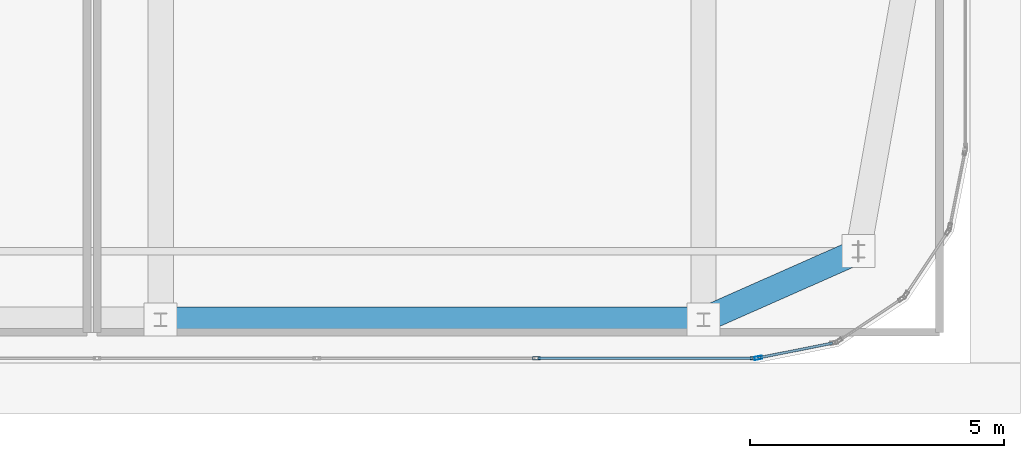
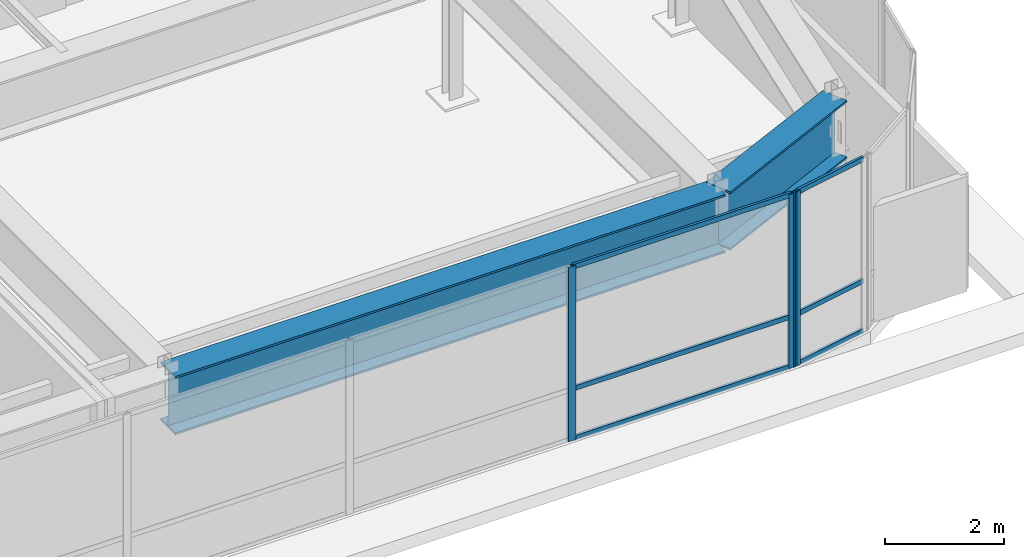
# One storey, part 13 of 35: 9 members, 2 beams, 2 elements without a shape of their own.
"""IFC4 building model written with IfcOpenShell, lengths in metres."""

import ifcopenshell
import ifcopenshell.guid

model = None  # the IFC model being written
_history = None  # IfcOwnerHistory: only IFC2X3 demands one
_inside = {}  # id of a spatial element -> (the spatial element, [elements in it])
_under = {}  # id of a project, library or spatial element -> (it, [spatial elements below it])
_declared = {}  # id of a project -> (the project, [libraries it declares])
_typed = {}  # id of a type object -> (the type object, [elements of that type])
_made_of = {}  # id of a material, layer set ... -> (it, [elements and type objects made of it])


def new_model(schema):
    """Start an empty IFC model of exactly this schema.

    Asked for "IFC4X3", IfcOpenShell would pick the latest addendum, in which some entities
    have other attributes; the version numbers below select the first issue.
    IFC2X3 requires an IfcOwnerHistory on every rooted entity: one is made here for all.
    """
    global model, _history
    if schema == "IFC4X3":
        model = ifcopenshell.file(schema_version=(4, 3, 0, 0))
    else:
        model = ifcopenshell.file(schema=schema)
    _inside.clear()
    _under.clear()
    _declared.clear()
    _typed.clear()
    _made_of.clear()
    _history = None
    if model.schema == "IFC2X3":
        org = make("IfcOrganization", Name="unknown")
        user = make(
            "IfcPersonAndOrganization",
            ThePerson=make("IfcPerson", FamilyName="unknown"),
            TheOrganization=org,
        )
        app = make(
            "IfcApplication",
            ApplicationDeveloper=org,
            Version="unknown",
            ApplicationFullName="unknown",
            ApplicationIdentifier="unknown",
        )
        _history = make(
            "IfcOwnerHistory",
            OwningUser=user,
            OwningApplication=app,
            ChangeAction="ADDED",
            CreationDate=0,
        )
    return model


def make(cls, **values):
    """One entity of the class cls with the attributes given. An attribute that is None is left unset."""
    return model.create_entity(
        cls, **{name: value for name, value in values.items() if value is not None}
    )


def rooted(cls, **values):
    """An entity with a GlobalId (a new one), such as an element, a storey or a relation."""
    return make(cls, GlobalId=ifcopenshell.guid.new(), OwnerHistory=_history, **values)


def si_unit(unit_type, name, prefix=None):
    """IfcSIUnit, for example si_unit("LENGTHUNIT", "METRE", prefix="MILLI")."""
    return make("IfcSIUnit", UnitType=unit_type, Prefix=prefix, Name=name)


def assignment(units):
    """IfcUnitAssignment: the units of a project."""
    return None if units is None else make("IfcUnitAssignment", Units=units)


def point(xyz):
    """IfcCartesianPoint."""
    return None if xyz is None else make("IfcCartesianPoint", Coordinates=xyz)


def direction(xyz):
    """IfcDirection."""
    return None if xyz is None else make("IfcDirection", DirectionRatios=xyz)


def frame(location, z_axis=None, x_axis=None):
    """IfcAxis2Placement3D, a coordinate frame: its origin and axes. An axis left out is left unset."""
    return make(
        "IfcAxis2Placement3D",
        Location=point(location),
        Axis=direction(z_axis),
        RefDirection=direction(x_axis),
    )


def frame_2d(location, x_axis=None):
    """IfcAxis2Placement2D, a coordinate frame in the plane: its origin and x axis."""
    return make(
        "IfcAxis2Placement2D", Location=point(location), RefDirection=direction(x_axis)
    )


def origin():
    """The frame at (0, 0, 0) with its axes left unset."""
    return frame((0.0, 0.0, 0.0))


def origin_2d():
    """The frame at (0, 0) in the plane with its x axis left unset."""
    return frame_2d((0.0, 0.0))


def place(relative_to, where):
    """IfcLocalPlacement: puts the frame where relative to a parent placement (None: the world)."""
    return make(
        "IfcLocalPlacement", PlacementRelTo=relative_to, RelativePlacement=where
    )


def context(
    kind, dimensions, precision=None, world=None, true_north=None, identifier=None
):
    """IfcGeometricRepresentationContext, for example the 3D "Model" context."""
    return make(
        "IfcGeometricRepresentationContext",
        ContextIdentifier=identifier,
        ContextType=kind,
        CoordinateSpaceDimension=dimensions,
        Precision=precision,
        WorldCoordinateSystem=world,
        TrueNorth=true_north,
    )


def subcontext(parent, identifier, kind, view, scale=None):
    """IfcGeometricRepresentationSubContext, for example "Body" below "Model"."""
    return make(
        "IfcGeometricRepresentationSubContext",
        ContextIdentifier=identifier,
        ContextType=kind,
        ParentContext=parent,
        TargetScale=scale,
        TargetView=view,
    )


def project(units=None, contexts=None):
    """IfcProject with its units and contexts."""
    return rooted(
        "IfcProject",
        Name="project",
        RepresentationContexts=contexts,
        UnitsInContext=assignment(units),
    )


def spatial(cls, under=None, at=None, **own):
    """A site, building, storey or space (cls), placed at a placement, below another one or the project."""
    s = rooted(cls, ObjectPlacement=at, **own)
    if under is not None:
        _under.setdefault(under.id(), (under, []))[1].append(s)
    return s


def profile(cls, at=None, kind="AREA", **sizes):
    """A parametric profile (cls). Its sizes go by their IFC names, for example OverallWidth=200.0."""
    return make(cls, ProfileType=kind, Position=at, **sizes)


def hollow_rectangle(**sizes):
    """IfcRectangleHollowProfileDef."""
    return profile("IfcRectangleHollowProfileDef", **sizes)


def i_section(**sizes):
    """IfcIShapeProfileDef."""
    return profile("IfcIShapeProfileDef", **sizes)


def extrude(swept, where, along, depth):
    """IfcExtrudedAreaSolid: the profile swept, set in the frame where, extruded along a direction by depth."""
    return make(
        "IfcExtrudedAreaSolid",
        SweptArea=swept,
        Position=where,
        ExtrudedDirection=direction(along),
        Depth=depth,
    )


def shape(context_of_items, identifier, shape_type, items):
    """IfcShapeRepresentation: the items that make up one representation, for example the "Body"."""
    return make(
        "IfcShapeRepresentation",
        ContextOfItems=context_of_items,
        RepresentationIdentifier=identifier,
        RepresentationType=shape_type,
        Items=items,
    )


def source(mapping_origin, context_of_items, identifier, shape_type, items):
    """IfcRepresentationMap: a shape defined once, which mapped items show again and again."""
    return make(
        "IfcRepresentationMap",
        MappingOrigin=mapping_origin,
        MappedRepresentation=shape(context_of_items, identifier, shape_type, items),
    )


def transform(
    local_origin,
    x_axis=None,
    y_axis=None,
    z_axis=None,
    scale=None,
    scale2=None,
    scale3=None,
    uniform=True,
):
    """IfcCartesianTransformationOperator3D, or its non-uniform kind. x_axis, y_axis, z_axis: its Axis1, 2, 3."""
    if uniform:
        return make(
            "IfcCartesianTransformationOperator3D",
            Axis1=direction(x_axis),
            Axis2=direction(y_axis),
            LocalOrigin=point(local_origin),
            Scale=scale,
            Axis3=direction(z_axis),
        )
    return make(
        "IfcCartesianTransformationOperator3DnonUniform",
        Axis1=direction(x_axis),
        Axis2=direction(y_axis),
        LocalOrigin=point(local_origin),
        Scale=scale,
        Axis3=direction(z_axis),
        Scale2=scale2,
        Scale3=scale3,
    )


def mapped(mapping_source, mapping_target):
    """IfcMappedItem: shows the shape of a source again, moved by a transform."""
    return make(
        "IfcMappedItem", MappingSource=mapping_source, MappingTarget=mapping_target
    )


def material(Name=None, Category=None):
    """IfcMaterial."""
    return make("IfcMaterial", Name=Name, Category=Category)


def layer(
    of_material, thickness, ventilated=None, Name=None, Category=None, Priority=None
):
    """IfcMaterialLayer: one layer of a wall or slab, of a material (None: an air gap)."""
    return make(
        "IfcMaterialLayer",
        Material=of_material,
        LayerThickness=thickness,
        IsVentilated=ventilated,
        Name=Name,
        Category=Category,
        Priority=Priority,
    )


def layer_set(layers, Name=None):
    """IfcMaterialLayerSet."""
    return make("IfcMaterialLayerSet", MaterialLayers=layers, LayerSetName=Name)


def material_profile(
    of_material, cross_section, Name=None, Category=None, Priority=None
):
    """IfcMaterialProfile: a cross section and its material."""
    return make(
        "IfcMaterialProfile",
        Name=Name,
        Material=of_material,
        Profile=cross_section,
        Priority=Priority,
        Category=Category,
    )


def profile_set(profiles, Name=None, composite=None):
    """IfcMaterialProfileSet."""
    return make(
        "IfcMaterialProfileSet",
        Name=Name,
        MaterialProfiles=profiles,
        CompositeProfile=composite,
    )


def made_of(thing, what):
    """Note that an element or type object is made of a material, layer set ...; save() writes the relation."""
    if what is not None:
        _made_of.setdefault(what.id(), (what, []))[1].append(thing)
    return thing


def type_object(cls, material=None, **own):
    """A type object (cls), such as IfcWallType, which elements share."""
    return made_of(rooted(cls, **own), material)


def type_shapes(of_type, sources):
    """Give a type object the sources (RepresentationMaps) that its elements show as mapped items."""
    of_type.RepresentationMaps = sources


def element(
    cls,
    number,
    at=None,
    inside=None,
    cuts=None,
    type_object=None,
    material=None,
    context=None,
    identifier="Body",
    shape_type=None,
    held_by="IfcProductDefinitionShape",
    body=None,
    shapes=None,
    **own,
):
    """One element of the class cls, such as IfcWall. Its Tag is "e" and its number.

    at: its placement. inside: the storey or other place that contains it. cuts: it is an
    opening in that element (IfcRelVoidsElement). A single representation is given by context,
    identifier, shape_type and body (its items); several are given by shapes. held_by: the class
    of the entity that holds the representations. save() writes the other relations.
    """
    e = rooted(cls, Tag="e%d" % number, ObjectPlacement=at, **own)
    if body is not None:
        shapes = [shape(context, identifier, shape_type, body)]
    if shapes is not None:
        e.Representation = make(held_by, Representations=shapes)
    if inside is not None:
        _inside.setdefault(inside.id(), (inside, []))[1].append(e)
    if cuts is not None:
        rooted(
            "IfcRelVoidsElement", RelatingBuildingElement=cuts, RelatedOpeningElement=e
        )
    if type_object is not None:
        _typed.setdefault(type_object.id(), (type_object, []))[1].append(e)
    return made_of(e, material)


def aggregate(whole, parts):
    """IfcRelAggregates: a whole, such as a stair, and the parts it consists of."""
    return rooted("IfcRelAggregates", RelatingObject=whole, RelatedObjects=parts)


def save(model, path):
    """Write the relations noted so far, then the file.

    IfcRelAggregates (storeys below a building ...), IfcRelContainedInSpatialStructure (elements
    in a storey), IfcRelDefinesByType, IfcRelAssociatesMaterial and IfcRelDeclares: one each for
    every whole, place, type object, material and project.
    """
    for whole, parts in _under.values():
        aggregate(whole, parts)
    for where, things in _inside.values():
        rooted(
            "IfcRelContainedInSpatialStructure",
            RelatedElements=things,
            RelatingStructure=where,
        )
    for kind, things in _typed.values():
        rooted("IfcRelDefinesByType", RelatedObjects=things, RelatingType=kind)
    for what, things in _made_of.values():
        rooted("IfcRelAssociatesMaterial", RelatedObjects=things, RelatingMaterial=what)
    for by, libraries in _declared.values():
        rooted("IfcRelDeclares", RelatingContext=by, RelatedDefinitions=libraries)
    model.write(path)


model = new_model("IFC4")

# Units and contexts
model_context = context("Model", 3, precision=1e-05, world=origin(), true_north=direction((0.0, 1.0)))
body_context = subcontext(model_context, "Body", "Model", "MODEL_VIEW")
ifc_project = project(units=[si_unit("LENGTHUNIT", "METRE"), si_unit("AREAUNIT", "SQUARE_METRE"), si_unit("VOLUMEUNIT", "CUBIC_METRE"), si_unit("PLANEANGLEUNIT", "RADIAN"), si_unit("MASSUNIT", "GRAM", prefix="KILO")], contexts=[model_context])

# Site, building, storey
site_placement = place(None, origin())
site = spatial("IfcSite", under=ifc_project, at=site_placement, CompositionType="ELEMENT")
building_placement = place(site_placement, origin())
building = spatial("IfcBuilding", under=site, at=building_placement, Name="Tolvann Quenvar Hotel", CompositionType="ELEMENT")
storey_placement = place(building_placement, frame((0.0, 0.0, 290.949951171875)))
storey = spatial("IfcBuildingStorey", under=building, at=storey_placement, Name="L77", CompositionType="ELEMENT", Elevation=290.949951171875)

# Beams
ifc_material_1 = material(Name="Steel Grade 350", Category="steel")
ifc_material_profile_1 = material_profile(ifc_material_1, i_section(OverallWidth=0.5, OverallDepth=1.199951171875, WebThickness=0.01611328125, FlangeThickness=0.0400390625, at=origin_2d()), Name="1200WB455")
ifc_profile_set_1 = profile_set([ifc_material_profile_1], Name="Steel Grade 350")
beam_type = type_object("IfcBeamType", Name="BM_TG_1200WB455", PredefinedType="USERDEFINED", material=ifc_profile_set_1)
shared_shape_1 = source(origin(), body_context, "Body", "SweptSolid", [
    extrude(i_section(OverallWidth=0.5, OverallDepth=1.199951171875, WebThickness=0.01611328125, FlangeThickness=0.0400390625, at=origin_2d()), origin(), (0.0, 0.0, 1.0), 10.699951171875),
])
beam_1_placement = place(storey_placement, frame((22.050048828125, 7.050048828125, 2.97998046875), z_axis=(1.0, 0.0, 0.0), x_axis=(0.0, 1.0, 0.0)))
element("IfcBeam", 1, at=beam_1_placement, inside=storey, type_object=beam_type, Name="BM-L77-EW-2-E2-FP2", ObjectType="TRANSFER GIRDER", PredefinedType="USERDEFINED", context=body_context, shape_type="MappedRepresentation", body=[
    mapped(shared_shape_1, transform((0.0, 0.0, 0.0), x_axis=(1.0, 0.0, 0.0), y_axis=(0.0, 1.0, 0.0), z_axis=(0.0, 0.0, 1.0), scale=1.0)),
])
shared_shape_2 = source(origin(), body_context, "Body", "SweptSolid", [
    extrude(i_section(OverallWidth=0.5, OverallDepth=1.199951171875, WebThickness=0.01611328125, FlangeThickness=0.0400390625, at=origin_2d()), origin(), (0.0, 0.0, 1.0), 3.33544921875),
])
type_shapes(beam_type, [shared_shape_1, shared_shape_2])
beam_2_placement = place(storey_placement, frame((32.75, 7.050048828125, 2.97998046875), z_axis=(0.914447312445, 0.404704970024, 0.0), x_axis=(-0.404704970024, 0.914447312445, 0.0)))
element("IfcBeam", 2, at=beam_2_placement, inside=storey, type_object=beam_type, Name="BM-L77-EW-2-FP2-G2", ObjectType="TRANSFER GIRDER", PredefinedType="USERDEFINED", context=body_context, shape_type="MappedRepresentation", body=[
    mapped(shared_shape_2, transform((0.0, 0.0, 0.0), x_axis=(1.0, 0.0, 0.0), y_axis=(0.0, 1.0, 0.0), z_axis=(0.0, 0.0, 1.0), scale=1.0)),
])

# Curtain wall, members
ifc_material_2 = material(Name="Thermally broken anodised architectural aluminium 6063-T6 and laminated low-E glass", Category="aluminium")
ifc_layer = layer(ifc_material_2, 0.179931640625)
ifc_layer_set = layer_set([ifc_layer], Name="Thermally broken anodised architectural aluminium 6063-T6 and laminated low-E glass")
curtain_wall_type = type_object("IfcCurtainWallType", Name="CW_SYS_LANT_06", PredefinedType="USERDEFINED", material=ifc_layer_set)
curtain_wall_1_placement = place(storey_placement, origin())
curtain_wall_1 = element("IfcCurtainWall", 3, at=curtain_wall_1_placement, inside=storey, type_object=curtain_wall_type, Name="Curtain Wall CW-LANT-06 (CWR-L77-E04)", ObjectType="UNITISED CURTAIN WALL", PredefinedType="USERDEFINED")
ifc_material_3 = material(Name="Anodised architectural aluminium 6063-T6 framing", Category="aluminium")
ifc_material_profile_2 = material_profile(ifc_material_3, hollow_rectangle(XDim=0.06494140625, YDim=0.14990234375, WallThickness=0.00390625, at=origin_2d()), Name="150x65x4RHS")
ifc_profile_set_2 = profile_set([ifc_material_profile_2], Name="Anodised architectural aluminium 6063-T6 framing")
member_type_1 = type_object("IfcMemberType", Name="CW_MULL_150x65", PredefinedType="MULLION", material=ifc_profile_set_2)
shared_shape_3 = source(origin(), body_context, "Body", "SweptSolid", [
    extrude(hollow_rectangle(XDim=0.06494140625, YDim=0.14990234375, WallThickness=0.00390625, at=origin_2d()), origin(), (0.0, 0.0, 1.0), 3.580078125),
])
type_shapes(member_type_1, [shared_shape_3])
member_1_placement = place(storey_placement, frame((29.455078125, 6.2900390625, 0.0), z_axis=(0.0, 0.0, 1.0), x_axis=(0.0, 1.0, 0.0)))
member_1 = element("IfcMember", 4, at=member_1_placement, type_object=member_type_1, Name="CW-LANT-06 mullion 6", PredefinedType="MULLION", context=body_context, shape_type="MappedRepresentation", body=[
    mapped(shared_shape_3, transform((0.0, 0.0, 0.0), x_axis=(1.0, 0.0, 0.0), y_axis=(0.0, 1.0, 0.0), z_axis=(0.0, 0.0, 1.0), scale=1.0)),
])
member_2_placement = place(storey_placement, frame((33.750244140625, 6.2900390625, 0.0), z_axis=(0.0, 0.0, 1.0), x_axis=(0.0, 1.0, 0.0)))
member_2 = element("IfcMember", 5, at=member_2_placement, type_object=member_type_1, Name="CW-LANT-06 mullion 7", PredefinedType="MULLION", context=body_context, shape_type="MappedRepresentation", body=[
    mapped(shared_shape_3, transform((0.0, 0.0, 0.0), x_axis=(1.0, 0.0, 0.0), y_axis=(0.0, 1.0, 0.0), z_axis=(0.0, 0.0, 1.0), scale=1.0)),
])

curtain_wall_2_placement = place(storey_placement, origin())
curtain_wall_2 = element("IfcCurtainWall", 6, at=curtain_wall_2_placement, inside=storey, type_object=curtain_wall_type, Name="Curtain Wall CW-LANT-06 (CWR-L77-E05)", ObjectType="UNITISED CURTAIN WALL", PredefinedType="USERDEFINED")
member_3_placement = place(storey_placement, frame((33.831298828125, 6.2978515625, 0.0), z_axis=(0.0, 0.0, 1.0), x_axis=(-0.195061569369, 0.980790999222, 0.0)))
member_3 = element("IfcMember", 7, at=member_3_placement, type_object=member_type_1, Name="CW-LANT-06 mullion 1", PredefinedType="MULLION", context=body_context, shape_type="MappedRepresentation", body=[
    mapped(shared_shape_3, transform((0.0, 0.0, 0.0), x_axis=(1.0, 0.0, 0.0), y_axis=(0.0, 1.0, 0.0), z_axis=(0.0, 0.0, 1.0), scale=1.0)),
])
ifc_material_profile_3 = material_profile(ifc_material_3, hollow_rectangle(XDim=0.050048828125, YDim=0.10009765625, WallThickness=0.0029296875, at=origin_2d()), Name="100x50x3RHS")
ifc_profile_set_3 = profile_set([ifc_material_profile_3], Name="Anodised architectural aluminium 6063-T6 framing")
member_type_2 = type_object("IfcMemberType", Name="CW_TRAN_100x50", PredefinedType="USERDEFINED", material=ifc_profile_set_3)
shared_shape_4 = source(origin(), body_context, "Body", "SweptSolid", [
    extrude(hollow_rectangle(XDim=0.050048828125, YDim=0.10009765625, WallThickness=0.0029296875, at=origin_2d()), origin(), (0.0, 0.0, 1.0), 1.456787109375),
])
member_4_placement = place(storey_placement, frame((33.863037109375, 6.30419921875, 0.025146484375), z_axis=(0.980786408364, 0.195084651288, 0.0), x_axis=(-0.195084651288, 0.980786408364, 0.0)))
member_4 = element("IfcMember", 8, at=member_4_placement, type_object=member_type_2, Name="CW-LANT-06 transom 1.1", ObjectType="TRANSOM", PredefinedType="USERDEFINED", context=body_context, shape_type="MappedRepresentation", body=[
    mapped(shared_shape_4, transform((0.0, 0.0, 0.0), x_axis=(1.0, 0.0, 0.0), y_axis=(0.0, 1.0, 0.0), z_axis=(0.0, 0.0, 1.0), scale=1.0)),
])
member_5_placement = place(storey_placement, frame((33.863037109375, 6.30419921875, 1.050048828125), z_axis=(0.980786408364, 0.195084651288, 0.0), x_axis=(-0.195084651288, 0.980786408364, 0.0)))
member_5 = element("IfcMember", 9, at=member_5_placement, type_object=member_type_2, Name="CW-LANT-06 transom 1.2", ObjectType="TRANSOM", PredefinedType="USERDEFINED", context=body_context, shape_type="MappedRepresentation", body=[
    mapped(shared_shape_4, transform((0.0, 0.0, 0.0), x_axis=(1.0, 0.0, 0.0), y_axis=(0.0, 1.0, 0.0), z_axis=(0.0, 0.0, 1.0), scale=1.0)),
])
member_6_placement = place(storey_placement, frame((33.863037109375, 6.30419921875, 3.554931640625), z_axis=(0.980786408364, 0.195084651288, 0.0), x_axis=(-0.195084651288, 0.980786408364, 0.0)))
member_6 = element("IfcMember", 10, at=member_6_placement, type_object=member_type_2, Name="CW-LANT-06 transom 1.3", ObjectType="TRANSOM", PredefinedType="USERDEFINED", context=body_context, shape_type="MappedRepresentation", body=[
    mapped(shared_shape_4, transform((0.0, 0.0, 0.0), x_axis=(1.0, 0.0, 0.0), y_axis=(0.0, 1.0, 0.0), z_axis=(0.0, 0.0, 1.0), scale=1.0)),
])
aggregate(curtain_wall_2, [member_3, member_4, member_5, member_6])

# Member
shared_shape_5 = source(origin(), body_context, "Body", "SweptSolid", [
    extrude(hollow_rectangle(XDim=0.050048828125, YDim=0.10009765625, WallThickness=0.0029296875, at=origin_2d()), origin(), (0.0, 0.0, 1.0), 4.22998046875),
])
type_shapes(member_type_2, [shared_shape_4, shared_shape_5])
member_7_placement = place(storey_placement, frame((29.48779296875, 6.2900390625, 0.025146484375), z_axis=(1.0, 0.0, 0.0), x_axis=(0.0, 1.0, 0.0)))
member_7 = element("IfcMember", 11, at=member_7_placement, type_object=member_type_2, Name="CW-LANT-06 transom 6.1", ObjectType="TRANSOM", PredefinedType="USERDEFINED", context=body_context, shape_type="MappedRepresentation", body=[
    mapped(shared_shape_5, transform((0.0, 0.0, 0.0), x_axis=(1.0, 0.0, 0.0), y_axis=(0.0, 1.0, 0.0), z_axis=(0.0, 0.0, 1.0), scale=1.0)),
])

member_8_placement = place(storey_placement, frame((29.48779296875, 6.2900390625, 1.050048828125), z_axis=(1.0, 0.0, 0.0), x_axis=(0.0, 1.0, 0.0)))
member_8 = element("IfcMember", 12, at=member_8_placement, type_object=member_type_2, Name="CW-LANT-06 transom 6.2", ObjectType="TRANSOM", PredefinedType="USERDEFINED", context=body_context, shape_type="MappedRepresentation", body=[
    mapped(shared_shape_5, transform((0.0, 0.0, 0.0), x_axis=(1.0, 0.0, 0.0), y_axis=(0.0, 1.0, 0.0), z_axis=(0.0, 0.0, 1.0), scale=1.0)),
])

member_9_placement = place(storey_placement, frame((29.48779296875, 6.2900390625, 3.554931640625), z_axis=(1.0, 0.0, 0.0), x_axis=(0.0, 1.0, 0.0)))
member_9 = element("IfcMember", 13, at=member_9_placement, type_object=member_type_2, Name="CW-LANT-06 transom 6.3", ObjectType="TRANSOM", PredefinedType="USERDEFINED", context=body_context, shape_type="MappedRepresentation", body=[
    mapped(shared_shape_5, transform((0.0, 0.0, 0.0), x_axis=(1.0, 0.0, 0.0), y_axis=(0.0, 1.0, 0.0), z_axis=(0.0, 0.0, 1.0), scale=1.0)),
])

aggregate(curtain_wall_1, [member_1, member_2, member_7, member_8, member_9])

save(model, "model.ifc")
